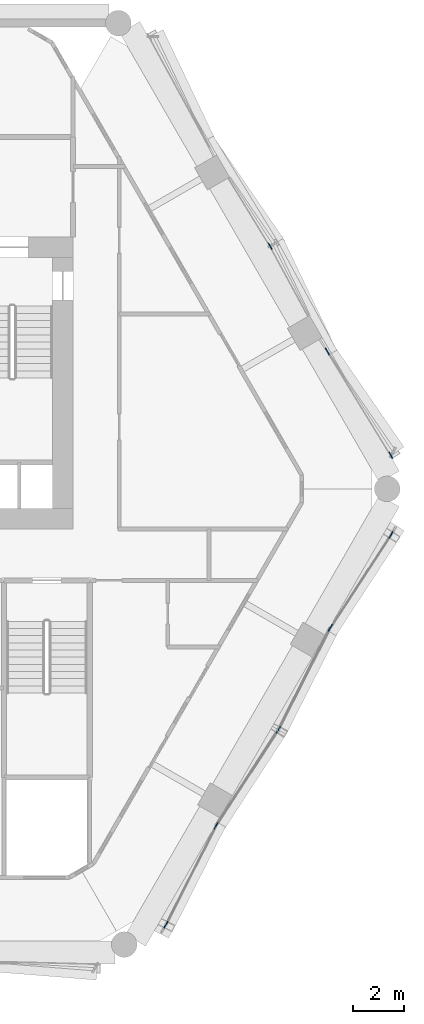
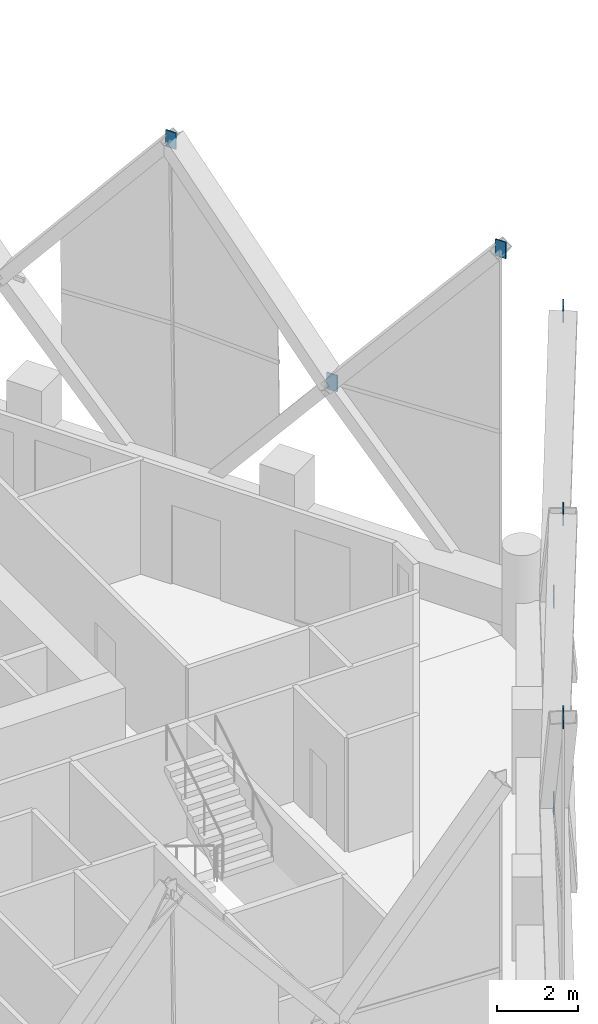
# One storey, part 17 of 19: 8 discrete accessories.
"""IFC4 building model written with IfcOpenShell, lengths in metres."""

from ifc_helpers import new_model, si_unit, direction, frame, origin, origin_2d, place, context, subcontext, project, spatial, rectangle, extrude, material, layer, layer_set, type_object, element, save


model = new_model("IFC4")

# Units and contexts
model_context = context("Model", 3, precision=1e-05, world=origin(), true_north=direction((0.0, 1.0)))
body_context = subcontext(model_context, "Body", "Model", "MODEL_VIEW")
ifc_project = project(units=[si_unit("LENGTHUNIT", "METRE"), si_unit("AREAUNIT", "SQUARE_METRE"), si_unit("VOLUMEUNIT", "CUBIC_METRE"), si_unit("PLANEANGLEUNIT", "RADIAN"), si_unit("MASSUNIT", "GRAM", prefix="KILO")], contexts=[model_context])

# Site, building, storey
site_placement = place(None, origin())
site = spatial("IfcSite", under=ifc_project, at=site_placement, CompositionType="ELEMENT")
building_placement = place(site_placement, origin())
building = spatial("IfcBuilding", under=site, at=building_placement, Name="Ostrander Bayou Hotel Tower", CompositionType="ELEMENT")
storey_placement = place(building_placement, frame((0.0, 0.0, 164.5)))
storey = spatial("IfcBuildingStorey", under=building, at=storey_placement, Name="L40", CompositionType="ELEMENT", Elevation=164.5)

# Discrete accessories
ifc_material = material(Name="Steel ASTM A572 Gr 50", Category="steel")
ifc_layer = layer(ifc_material, 0.030029296875)
ifc_layer_set = layer_set([ifc_layer], Name="GP1 gusset plate 30 mm")
discrete_accessory_type = type_object("IfcDiscreteAccessoryType", Name="GP1 gusset plate 30 mm", PredefinedType="BRACKET", material=ifc_layer_set)
for number, where, z_axis, x_axis, name in (
    (1, (14.077880859375, -13.281005859375, 4.77490234375), (0.0, 0.0, 1.0), (0.5, 0.866025403784, 0.0), "GP1 gusset plate lat 266"),
    (2, (12.123046875, -17.14208984375, 10.39990234375), (0.0, 0.0, 1.0), (0.5, 0.866025403784, 0.0), "GP1 gusset plate lat 267"),
    (3, (16.51513671875, -9.534912109375, 10.39990234375), (0.0, 0.0, 1.0), (0.5, 0.866025403784, 0.0), "GP1 gusset plate lat 268"),
    (4, (18.540771484375, -5.55126953125, 4.77490234375), (0.0, 0.0, 1.0), (0.5, 0.866025403784, 0.0), "GP1 gusset plate lat 269"),
    (5, (20.906982421875, -1.927978515625, 10.39990234375), (0.0, 0.0, 1.0), (0.5, 0.866025403784, 0.0), "GP1 gusset plate lat 270"),
    (6, (18.42578125, 5.231201171875, 4.77490234375), (0.0, 0.0, 1.0), (-0.5, 0.866025403784, 0.0), "GP1 gusset plate lat 271"),
    (7, (20.906982421875, 1.175048828125, 10.39990234375), (0.0, 0.0, 1.0), (-0.5, 0.866025403784, 0.0), "GP1 gusset plate lat 272"),
    (8, (16.189208984375, 9.3466796875, 10.39990234375), (0.0, 0.0, 1.0), (-0.5, 0.866025403784, 0.0), "GP1 gusset plate lat 273"),
):
    element("IfcDiscreteAccessory", number, at=place(storey_placement, frame(where, z_axis=z_axis, x_axis=x_axis)), inside=storey, type_object=discrete_accessory_type, Name=name, PredefinedType="BRACKET", context=body_context, shape_type="SweptSolid", body=[
        extrude(rectangle(XDim=0.300048828125, YDim=0.030029296875, at=origin_2d()), origin(), (0.0, 0.0, 1.0), 0.5),
    ])

save(model, "model.ifc")
